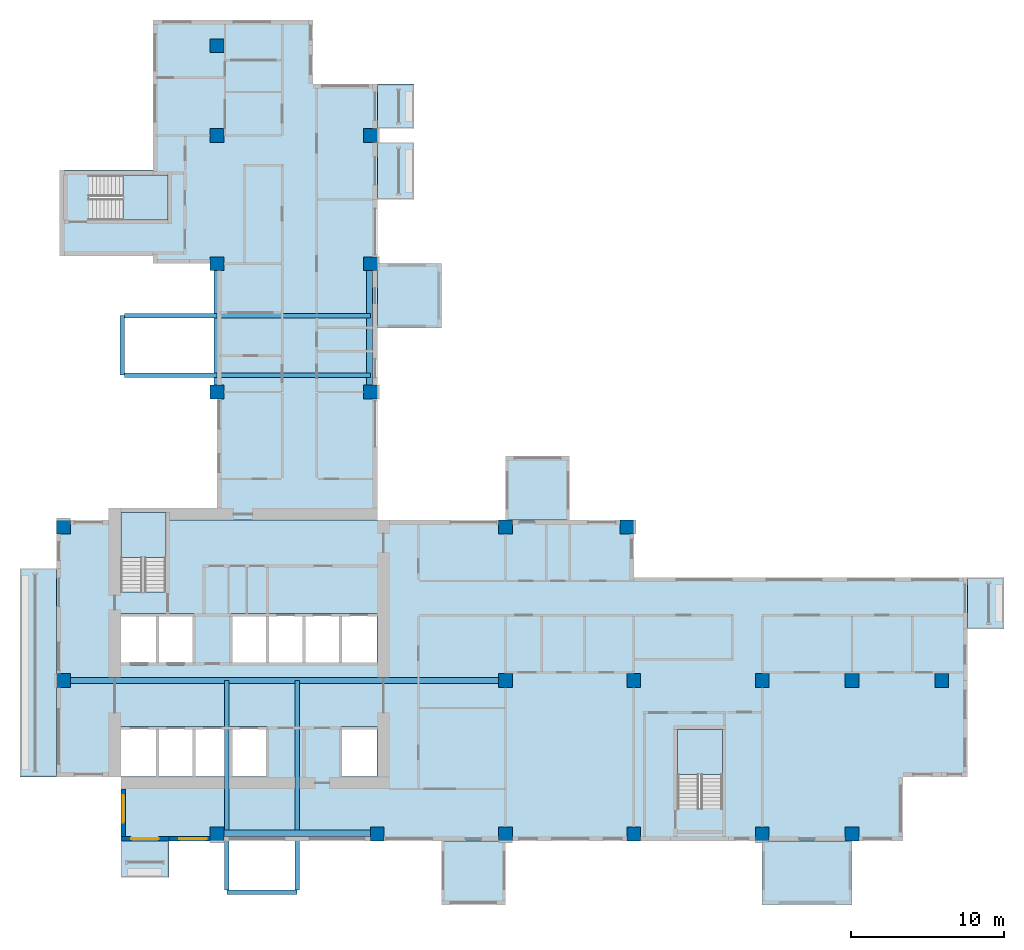
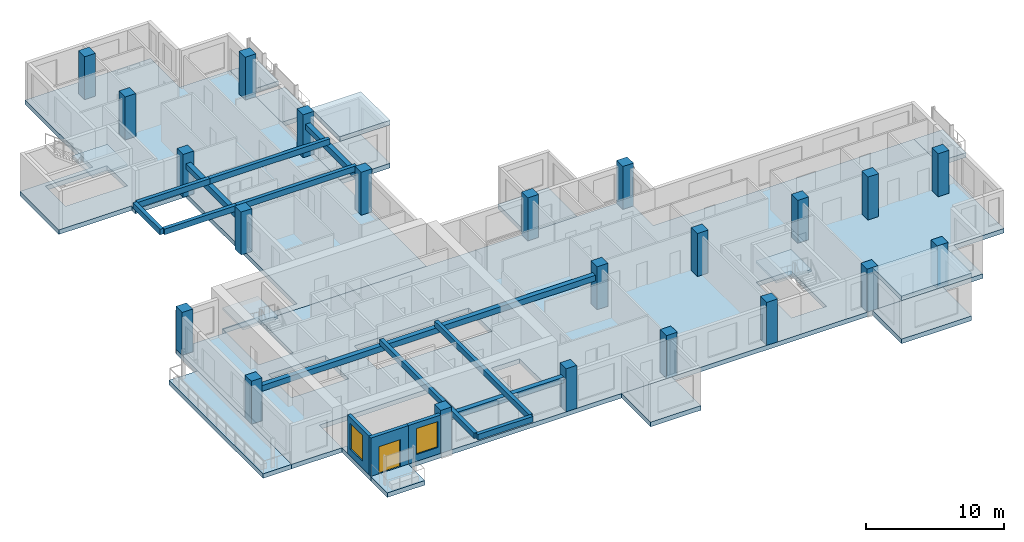
# One storey, part 1 of 13: 22 columns, 16 slabs, 12 beams, 3 walls, 2 windows, 1 door, 3 openings, 3 elements without a shape of their own.
"""IFC4 building model written with IfcOpenShell, lengths in metres."""

from ifc_helpers import new_model, si_unit, direction, frame, frame_2d, origin, origin_2d, place, context, subcontext, project, spatial, polyline, rectangle, outline, extrude, source, transform, mapped, material, layer, layer_set, material_profile, profile_set, type_object, element, fill, aggregate, save


model = new_model("IFC4")

# Units and contexts
model_context = context("Model", 3, precision=1e-05, world=origin(), true_north=direction((0.0, 1.0)))
body_context = subcontext(model_context, "Body", "Model", "MODEL_VIEW")
ifc_project = project(units=[si_unit("LENGTHUNIT", "METRE"), si_unit("AREAUNIT", "SQUARE_METRE"), si_unit("VOLUMEUNIT", "CUBIC_METRE"), si_unit("PLANEANGLEUNIT", "RADIAN"), si_unit("MASSUNIT", "GRAM", prefix="KILO")], contexts=[model_context])

# Site, building, storey
site_placement = place(None, origin())
site = spatial("IfcSite", under=ifc_project, at=site_placement, CompositionType="ELEMENT")
building_placement = place(site_placement, origin())
building = spatial("IfcBuilding", under=site, at=building_placement, Name="Aurelian Terraces", CompositionType="ELEMENT")
storey_placement = place(building_placement, frame((0.0, 0.0, 193.0)))
storey = spatial("IfcBuildingStorey", under=building, at=storey_placement, Name="L42", CompositionType="ELEMENT", Elevation=193.0)

# Columns
ifc_material_1 = material(Name="Concrete fc' 70 MPa", Category="concrete")
ifc_material_profile_1 = material_profile(ifc_material_1, rectangle(XDim=0.9, YDim=0.9, at=origin_2d()))
ifc_profile_set_1 = profile_set([ifc_material_profile_1], Name="Concrete fc' 70 MPa")
column_type = type_object("IfcColumnType", Name="RC COLUMN 900X900 FC70", PredefinedType="COLUMN", material=ifc_profile_set_1)
shared_shape_1 = source(origin(), body_context, "Body", "SweptSolid", [
    extrude(rectangle(XDim=0.9, YDim=0.9, at=origin_2d()), origin(), (0.0, 0.0, 1.0), 3.8),
])
for number, where, z_axis, x_axis, name in (
    (1, (10.5, 0.45, 0.0), (0.0, 0.0, 1.0), (1.0, 0.0, 0.0), "Column 2/A L42"),
    (2, (21.0, 0.45, 0.0), (0.0, 0.0, 1.0), (1.0, 0.0, 0.0), "Column 3/A L42"),
    (3, (29.4, 0.45, 0.0), (0.0, 0.0, 1.0), (1.0, 0.0, 0.0), "Column 4/A L42"),
    (4, (37.8, 0.45, 0.0), (0.0, 0.0, 1.0), (1.0, 0.0, 0.0), "Column 5/A L42"),
    (5, (46.2, 0.45, 0.0), (0.0, 0.0, 1.0), (1.0, 0.0, 0.0), "Column 6/A L42"),
    (6, (52.08, 0.45, 0.0), (0.0, 0.0, 1.0), (1.0, 0.0, 0.0), "Column 7/A L42"),
    (7, (0.45, 10.5, 0.0), (0.0, 0.0, 1.0), (1.0, 0.0, 0.0), "Column 1/B L42"),
    (8, (29.4, 10.5, 0.0), (0.0, 0.0, 1.0), (1.0, 0.0, 0.0), "Column 4/B L42"),
    (9, (37.8, 10.5, 0.0), (0.0, 0.0, 1.0), (1.0, 0.0, 0.0), "Column 5/B L42"),
    (10, (46.2, 10.5, 0.0), (0.0, 0.0, 1.0), (1.0, 0.0, 0.0), "Column 6/B L42"),
    (11, (52.08, 10.5, 0.0), (0.0, 0.0, 1.0), (1.0, 0.0, 0.0), "Column 7/B L42"),
    (12, (57.96, 10.5, 0.0), (0.0, 0.0, 1.0), (1.0, 0.0, 0.0), "Column 8/B L42"),
    (13, (0.45, 20.55, 0.0), (0.0, 0.0, 1.0), (1.0, 0.0, 0.0), "Column 1/C L42"),
    (14, (29.4, 20.55, 0.0), (0.0, 0.0, 1.0), (1.0, 0.0, 0.0), "Column 4/C L42"),
    (15, (37.35, 20.55, 0.0), (0.0, 0.0, 1.0), (1.0, 0.0, 0.0), "Column 5/C L42"),
    (16, (10.5, 29.4, 0.0), (0.0, 0.0, 1.0), (1.0, 0.0, 0.0), "Column 2/D L42"),
    (17, (20.55, 29.4, 0.0), (0.0, 0.0, 1.0), (1.0, 0.0, 0.0), "Column 3/D L42"),
    (18, (10.5, 37.8, 0.0), (0.0, 0.0, 1.0), (1.0, 0.0, 0.0), "Column 2/E L42"),
    (19, (20.55, 37.8, 0.0), (0.0, 0.0, 1.0), (1.0, 0.0, 0.0), "Column 3/E L42"),
    (20, (10.5, 46.2, 0.0), (0.0, 0.0, 1.0), (1.0, 0.0, 0.0), "Column 2/F L42"),
    (21, (20.55, 46.2, 0.0), (0.0, 0.0, 1.0), (1.0, 0.0, 0.0), "Column 3/F L42"),
    (22, (10.5, 52.08, 0.0), (0.0, 0.0, 1.0), (1.0, 0.0, 0.0), "Column 2/G L42"),
):
    element("IfcColumn", number, at=place(storey_placement, frame(where, z_axis=z_axis, x_axis=x_axis)), inside=storey, type_object=column_type, Name=name, PredefinedType="COLUMN", context=body_context, shape_type="MappedRepresentation", body=[
        mapped(shared_shape_1, transform((0.0, 0.0, 0.0), scale=1.0)),
    ])

# Beams
ifc_material_2 = material(Name="Concrete fc' 40 MPa", Category="concrete")
ifc_material_profile_2 = material_profile(ifc_material_2, rectangle(XDim=0.3, YDim=0.5, at=origin_2d()))
ifc_profile_set_2 = profile_set([ifc_material_profile_2], Name="Concrete fc' 40 MPa")
beam_type_1 = type_object("IfcBeamType", Name="CONCRETE CANTILEVER BEAM 300X500", PredefinedType="BEAM", material=ifc_profile_set_2)
beam_1_placement = place(storey_placement, frame((10.5, 30.5, 3.15), z_axis=(1.0, 0.0, 0.0), x_axis=(0.0, 1.0, 0.0)))
element("IfcBeam", 23, at=beam_1_placement, inside=storey, type_object=beam_type_1, Name="Box back-span beam J61.1", PredefinedType="BEAM", context=body_context, shape_type="SweptSolid", body=[
    extrude(rectangle(XDim=0.3, YDim=0.5, at=origin_2d()), origin(), (0.0, 0.0, 1.0), 10.05),
])
ifc_material_profile_3 = material_profile(ifc_material_2, rectangle(XDim=0.3, YDim=0.5, at=origin_2d()))
ifc_profile_set_3 = profile_set([ifc_material_profile_3], Name="Concrete fc' 40 MPa")
beam_type_2 = type_object("IfcBeamType", Name="CONCRETE BOX CANTILEVER BEAM 300X500", PredefinedType="BEAM", material=ifc_profile_set_3)
shared_shape_2 = source(origin(), body_context, "Body", "SweptSolid", [
    extrude(rectangle(XDim=0.3, YDim=0.5, at=origin_2d()), origin(), (0.0, 0.0, 1.0), 6.05),
])
for number, where, z_axis, x_axis, name in (
    (24, (4.45, 30.5, 3.15), (1.0, 0.0, 0.0), (0.0, 1.0, 0.0), "Box cantilever beam J61.1"),
    (25, (4.45, 34.4, 3.15), (1.0, 0.0, 0.0), (0.0, 1.0, 0.0), "Box cantilever beam J61.2"),
):
    element("IfcBeam", number, at=place(storey_placement, frame(where, z_axis=z_axis, x_axis=x_axis)), inside=storey, type_object=beam_type_2, Name=name, PredefinedType="BEAM", context=body_context, shape_type="MappedRepresentation", body=[
        mapped(shared_shape_2, transform((0.0, 0.0, 0.0), scale=1.0)),
    ])
shared_shape_3 = source(origin(), body_context, "Body", "SweptSolid", [
    extrude(rectangle(XDim=0.3, YDim=0.5, at=origin_2d()), origin(), (0.0, 0.0, 1.0), 3.9),
])
beam_2_placement = place(storey_placement, frame((4.3, 30.5, 3.15), z_axis=(0.0, 1.0, 0.0), x_axis=(-1.0, 0.0, 0.0)))
element("IfcBeam", 26, at=beam_2_placement, inside=storey, type_object=beam_type_1, Name="Box tip beam J61", PredefinedType="BEAM", context=body_context, shape_type="MappedRepresentation", body=[
    mapped(shared_shape_3, transform((0.0, 0.0, 0.0), scale=1.0)),
])
shared_shape_4 = source(origin(), body_context, "Body", "SweptSolid", [
    extrude(rectangle(XDim=0.3, YDim=0.5, at=origin_2d()), origin(), (0.0, 0.0, 1.0), 13.7),
])
for number, where, z_axis, x_axis, name in (
    (27, (11.15, -3.2, 3.15), (0.0, 1.0, 0.0), (-1.0, 0.0, 0.0), "Box cantilever beam J60.1"),
    (28, (15.75, -3.2, 3.15), (0.0, 1.0, 0.0), (-1.0, 0.0, 0.0), "Box cantilever beam J60.2"),
):
    element("IfcBeam", number, at=place(storey_placement, frame(where, z_axis=z_axis, x_axis=x_axis)), inside=storey, type_object=beam_type_1, Name=name, PredefinedType="BEAM", context=body_context, shape_type="MappedRepresentation", body=[
        mapped(shared_shape_4, transform((0.0, 0.0, 0.0), scale=1.0)),
    ])
ifc_material_profile_4 = material_profile(ifc_material_2, rectangle(XDim=0.4, YDim=0.5, at=origin_2d()))
ifc_profile_set_4 = profile_set([ifc_material_profile_4], Name="Concrete fc' 40 MPa")
beam_type_3 = type_object("IfcBeamType", Name="CONCRETE EDGE GIRDER 400X500", PredefinedType="BEAM", material=ifc_profile_set_4)
shared_shape_5 = source(origin(), body_context, "Body", "SweptSolid", [
    extrude(rectangle(XDim=0.4, YDim=0.5, at=origin_2d()), origin(), (0.0, 0.0, 1.0), 7.5),
])
for number, where, z_axis, x_axis, name in (
    (29, (10.5, 29.85, 2.65), (0.0, 1.0, 0.0), (-1.0, 0.0, 0.0), "Box girder L42 O124"),
    (30, (20.5, 29.85, 2.65), (0.0, 1.0, 0.0), (-1.0, 0.0, 0.0), "Box girder L42 I125"),
):
    element("IfcBeam", number, at=place(storey_placement, frame(where, z_axis=z_axis, x_axis=x_axis)), inside=storey, type_object=beam_type_3, Name=name, PredefinedType="BEAM", context=body_context, shape_type="MappedRepresentation", body=[
        mapped(shared_shape_5, transform((0.0, 0.0, 0.0), scale=1.0)),
    ])
shared_shape_6 = source(origin(), body_context, "Body", "SweptSolid", [
    extrude(rectangle(XDim=0.4, YDim=0.5, at=origin_2d()), origin(), (0.0, 0.0, 1.0), 28.05),
])
beam_3_placement = place(storey_placement, frame((0.9, 10.5, 2.65), z_axis=(1.0, 0.0, 0.0), x_axis=(0.0, 1.0, 0.0)))
element("IfcBeam", 31, at=beam_3_placement, inside=storey, type_object=beam_type_3, Name="Box girder L42 I123", PredefinedType="BEAM", context=body_context, shape_type="MappedRepresentation", body=[
    mapped(shared_shape_6, transform((0.0, 0.0, 0.0), scale=1.0)),
])
shared_shape_7 = source(origin(), body_context, "Body", "SweptSolid", [
    extrude(rectangle(XDim=0.4, YDim=0.5, at=origin_2d()), origin(), (0.0, 0.0, 1.0), 9.6),
])
beam_4_placement = place(storey_placement, frame((10.95, 0.5, 2.65), z_axis=(1.0, 0.0, 0.0), x_axis=(0.0, 1.0, 0.0)))
element("IfcBeam", 32, at=beam_4_placement, inside=storey, type_object=beam_type_3, Name="Box girder L42 O122", PredefinedType="BEAM", context=body_context, shape_type="MappedRepresentation", body=[
    mapped(shared_shape_7, transform((0.0, 0.0, 0.0), scale=1.0)),
])
shared_shape_8 = source(origin(), body_context, "Body", "SweptSolid", [
    extrude(rectangle(XDim=0.3, YDim=0.5, at=origin_2d()), origin(), (0.0, 0.0, 1.0), 4.6),
])
beam_5_placement = place(storey_placement, frame((11.15, -3.35, 3.15), z_axis=(1.0, 0.0, 0.0), x_axis=(0.0, 1.0, 0.0)))
element("IfcBeam", 33, at=beam_5_placement, inside=storey, type_object=beam_type_1, Name="Box tip beam J60", PredefinedType="BEAM", context=body_context, shape_type="MappedRepresentation", body=[
    mapped(shared_shape_8, transform((0.0, 0.0, 0.0), scale=1.0)),
])
shared_shape_9 = source(origin(), body_context, "Body", "SweptSolid", [
    extrude(rectangle(XDim=0.3, YDim=0.5, at=origin_2d()), origin(), (0.0, 0.0, 1.0), 10.05),
])
beam_6_placement = place(storey_placement, frame((10.5, 34.4, 3.15), z_axis=(1.0, 0.0, 0.0), x_axis=(0.0, 1.0, 0.0)))
element("IfcBeam", 34, at=beam_6_placement, inside=storey, type_object=beam_type_1, Name="Box back-span beam J61.2", PredefinedType="BEAM", context=body_context, shape_type="MappedRepresentation", body=[
    mapped(shared_shape_9, transform((0.0, 0.0, 0.0), scale=1.0)),
])

# Slabs
ifc_layer_1 = layer(ifc_material_2, 0.4)
ifc_layer_set_1 = layer_set([ifc_layer_1], Name="Balcony slab 400")
slab_type_1 = type_object("IfcSlabType", Name="Balcony slab 400", PredefinedType="NOTDEFINED", material=ifc_layer_set_1)
slab_1_placement = place(storey_placement, frame((0.0, 0.0, -0.4)))
element("IfcSlab", 35, at=slab_1_placement, inside=storey, type_object=slab_type_1, Name="Balcony slab L42 F04.14", PredefinedType="NOTDEFINED", context=body_context, shape_type="SweptSolid", body=[
    extrude(outline(polyline([(59.64, 13.875), (59.64, 17.25), (62.04, 17.25), (62.04, 13.875), (59.64, 13.875)])), origin(), (0.0, 0.0, 1.0), 0.4),
])
ifc_layer_2 = layer(ifc_material_2, 0.4)
ifc_layer_set_2 = layer_set([ifc_layer_2], Name="PT FLAT PLATE 400")
slab_type_2 = type_object("IfcSlabType", Name="PT FLAT PLATE 400", PredefinedType="FLOOR", material=ifc_layer_set_2)
shared_shape_10 = source(origin(), body_context, "Body", "SweptSolid", [
    extrude(outline(polyline([(6.3, 43.95), (6.3, 49.56), (6.3, 53.76), (10.5, 53.76), (16.8, 53.76), (16.8, 49.56), (21.0, 49.56), (21.0, 21.0), (7.14, 21.0), (7.14, 21.49), (4.21, 21.49), (4.21, 21.0), (4.2, 21.0), (4.2, 21.6), (6.3, 21.6), (10.5, 21.6), (10.5, 37.8), (6.3, 37.8), (6.3, 38.3), (0.2, 38.3), (0.2, 43.95), (6.3, 43.95)]), holes=[polyline([(7.29, 43.59), (2.11, 43.59), (2.11, 40.66), (7.29, 40.66), (7.29, 43.59)])]), origin(), (0.0, 0.0, 1.0), 0.4),
])
slab_2_placement = place(storey_placement, frame((0.0, 0.0, -0.4)))
element("IfcSlab", 36, at=slab_2_placement, inside=storey, type_object=slab_type_2, Name="Floor slab W L42", PredefinedType="FLOOR", context=body_context, shape_type="MappedRepresentation", body=[
    mapped(shared_shape_10, transform((0.0, 0.0, 0.0), scale=1.0)),
])
shared_shape_11 = source(origin(), body_context, "Body", "SweptSolid", [
    extrude(outline(polyline([(59.64, 4.2), (55.44, 4.2), (55.44, 0.0), (21.0, 0.0), (4.2, 0.0), (4.2, 4.2), (0.0, 4.2), (0.0, 21.0), (4.21, 21.0), (4.21, 16.31), (7.14, 16.31), (7.14, 21.0), (21.0, 21.0), (37.8, 21.0), (37.8, 17.25), (55.44, 17.25), (59.64, 17.25), (59.64, 16.8), (59.64, 16.65), (59.64, 4.2)]), holes=[polyline([(40.66, 2.11), (43.59, 2.11), (43.59, 7.29), (40.66, 7.29), (40.66, 2.11)]), polyline([(18.61, 7.49), (18.61, 4.21), (20.99, 4.21), (20.99, 7.49), (18.61, 7.49)]), polyline([(20.99, 14.89), (11.41, 14.89), (11.41, 11.51), (20.99, 11.51), (20.99, 14.89)]), polyline([(4.21, 7.49), (4.21, 4.21), (13.79, 4.21), (13.79, 7.49), (4.21, 7.49)]), polyline([(4.21, 14.89), (4.21, 11.51), (8.99, 11.51), (8.99, 14.89), (4.21, 14.89)])]), origin(), (0.0, 0.0, 1.0), 0.4),
])
slab_3_placement = place(storey_placement, frame((0.0, 0.0, -0.4)))
element("IfcSlab", 37, at=slab_3_placement, inside=storey, type_object=slab_type_2, Name="Floor slab S L42", PredefinedType="FLOOR", context=body_context, shape_type="MappedRepresentation", body=[
    mapped(shared_shape_11, transform((0.0, 0.0, 0.0), scale=1.0)),
])
ifc_layer_3 = layer(ifc_material_2, 0.41)
ifc_layer_set_3 = layer_set([ifc_layer_3], Name="Box floor 410")
slab_type_3 = type_object("IfcSlabType", Name="Box floor 410", PredefinedType="NOTDEFINED", material=ifc_layer_set_3)
shared_shape_12 = source(origin(), body_context, "Body", "SweptSolid", [
    extrude(outline(polyline([(46.2, -4.2), (52.08, -4.2), (52.08, 0.0), (46.2, 0.0), (46.2, -4.2)])), origin(), (0.0, 0.0, 1.0), 0.41),
])
slab_4_placement = place(storey_placement, frame((0.0, 0.0, -0.41)))
element("IfcSlab", 38, at=slab_4_placement, inside=storey, type_object=slab_type_3, Name="Box floor L42 J56", PredefinedType="NOTDEFINED", context=body_context, shape_type="MappedRepresentation", body=[
    mapped(shared_shape_12, transform((0.0, 0.0, 0.0), scale=1.0)),
])
ifc_layer_4 = layer(ifc_material_2, 0.4)
ifc_layer_set_4 = layer_set([ifc_layer_4], Name="Box roof 400")
slab_type_4 = type_object("IfcSlabType", Name="Box roof 400", PredefinedType="ROOF", material=ifc_layer_set_4)
shared_shape_13 = source(origin(), body_context, "Body", "SweptSolid", [
    extrude(outline(polyline([(46.2, -4.2), (52.08, -4.2), (52.08, 0.0), (46.2, 0.0), (46.2, -4.2)])), origin(), (0.0, 0.0, 1.0), 0.4),
])
slab_5_placement = place(storey_placement, frame((0.0, 0.0, 3.4)))
element("IfcSlab", 39, at=slab_5_placement, inside=storey, type_object=slab_type_4, Name="Box roof J56", PredefinedType="ROOF", context=body_context, shape_type="MappedRepresentation", body=[
    mapped(shared_shape_13, transform((0.0, 0.0, 0.0), scale=1.0)),
])
shared_shape_14 = source(origin(), body_context, "Body", "SweptSolid", [
    extrude(outline(polyline([(25.2, -4.2), (29.4, -4.2), (29.4, 0.0), (25.2, 0.0), (25.2, -4.2)])), origin(), (0.0, 0.0, 1.0), 0.41),
])
slab_6_placement = place(storey_placement, frame((0.0, 0.0, -0.41)))
element("IfcSlab", 40, at=slab_6_placement, inside=storey, type_object=slab_type_3, Name="Box floor L42 J58", PredefinedType="NOTDEFINED", context=body_context, shape_type="MappedRepresentation", body=[
    mapped(shared_shape_14, transform((0.0, 0.0, 0.0), scale=1.0)),
])
shared_shape_15 = source(origin(), body_context, "Body", "SweptSolid", [
    extrude(outline(polyline([(25.2, 33.6), (25.2, 37.8), (21.0, 37.8), (21.0, 33.6), (25.2, 33.6)])), origin(), (0.0, 0.0, 1.0), 0.41),
])
slab_7_placement = place(storey_placement, frame((0.0, 0.0, -0.41)))
element("IfcSlab", 41, at=slab_7_placement, inside=storey, type_object=slab_type_3, Name="Box floor L42 J57", PredefinedType="NOTDEFINED", context=body_context, shape_type="MappedRepresentation", body=[
    mapped(shared_shape_15, transform((0.0, 0.0, 0.0), scale=1.0)),
])
shared_shape_16 = source(origin(), body_context, "Body", "SweptSolid", [
    extrude(outline(polyline([(25.2, 33.6), (25.2, 37.8), (21.0, 37.8), (21.0, 33.6), (25.2, 33.6)])), origin(), (0.0, 0.0, 1.0), 0.4),
])
slab_8_placement = place(storey_placement, frame((0.0, 0.0, 3.4)))
element("IfcSlab", 42, at=slab_8_placement, inside=storey, type_object=slab_type_4, Name="Box roof J57", PredefinedType="ROOF", context=body_context, shape_type="MappedRepresentation", body=[
    mapped(shared_shape_16, transform((0.0, 0.0, 0.0), scale=1.0)),
])
shared_shape_17 = source(origin(), body_context, "Body", "SweptSolid", [
    extrude(outline(polyline([(0.0, 17.85), (0.0, 4.2), (-2.4, 4.2), (-2.4, 17.85), (0.0, 17.85)])), origin(), (0.0, 0.0, 1.0), 0.4),
])
slab_9_placement = place(storey_placement, frame((0.0, 0.0, -0.4)))
element("IfcSlab", 43, at=slab_9_placement, inside=storey, type_object=slab_type_1, Name="Balcony slab L42 F22.39", PredefinedType="NOTDEFINED", context=body_context, shape_type="MappedRepresentation", body=[
    mapped(shared_shape_17, transform((0.0, 0.0, 0.0), scale=1.0)),
])
shared_shape_18 = source(origin(), body_context, "Body", "SweptSolid", [
    extrude(outline(polyline([(33.6, 25.2), (29.4, 25.2), (29.4, 21.0), (33.6, 21.0), (33.6, 25.2)])), origin(), (0.0, 0.0, 1.0), 0.41),
])
slab_10_placement = place(storey_placement, frame((0.0, 0.0, -0.41)))
element("IfcSlab", 44, at=slab_10_placement, inside=storey, type_object=slab_type_3, Name="Box floor L42 J59", PredefinedType="NOTDEFINED", context=body_context, shape_type="MappedRepresentation", body=[
    mapped(shared_shape_18, transform((0.0, 0.0, 0.0), scale=1.0)),
])
shared_shape_19 = source(origin(), body_context, "Body", "SweptSolid", [
    extrude(outline(polyline([(4.2, 0.0), (7.35, 0.0), (7.35, -2.4), (4.2, -2.4), (4.2, 0.0)])), origin(), (0.0, 0.0, 1.0), 0.4),
])
slab_11_placement = place(storey_placement, frame((0.0, 0.0, -0.4)))
element("IfcSlab", 45, at=slab_11_placement, inside=storey, type_object=slab_type_1, Name="Balcony slab L42 F01.1", PredefinedType="NOTDEFINED", context=body_context, shape_type="MappedRepresentation", body=[
    mapped(shared_shape_19, transform((0.0, 0.0, 0.0), scale=1.0)),
])
shared_shape_20 = source(origin(), body_context, "Body", "SweptSolid", [
    extrude(outline(polyline([(21.0, 42.0), (21.0, 45.75), (23.4, 45.75), (23.4, 42.0), (21.0, 42.0)])), origin(), (0.0, 0.0, 1.0), 0.4),
])
slab_12_placement = place(storey_placement, frame((0.0, 0.0, -0.4)))
element("IfcSlab", 46, at=slab_12_placement, inside=storey, type_object=slab_type_1, Name="Balcony slab L42 F08.22", PredefinedType="NOTDEFINED", context=body_context, shape_type="MappedRepresentation", body=[
    mapped(shared_shape_20, transform((0.0, 0.0, 0.0), scale=1.0)),
])
shared_shape_21 = source(origin(), body_context, "Body", "SweptSolid", [
    extrude(outline(polyline([(21.0, 46.65), (21.0, 49.56), (23.4, 49.56), (23.4, 46.65), (21.0, 46.65)])), origin(), (0.0, 0.0, 1.0), 0.4),
])
slab_13_placement = place(storey_placement, frame((0.0, 0.0, -0.4)))
element("IfcSlab", 47, at=slab_13_placement, inside=storey, type_object=slab_type_1, Name="Balcony slab L42 F08.23", PredefinedType="NOTDEFINED", context=body_context, shape_type="MappedRepresentation", body=[
    mapped(shared_shape_21, transform((0.0, 0.0, 0.0), scale=1.0)),
])

# Stair, slab
stair_type = type_object("IfcStairType", Name="Stair 1400", PredefinedType="HALF_TURN_STAIR", material=ifc_material_2)
stair_1_placement = place(storey_placement, origin())
stair_1 = element("IfcStair", 48, at=stair_1_placement, inside=storey, type_object=stair_type, Name="L42 S1", PredefinedType="HALF_TURN_STAIR")
ifc_layer_5 = layer(ifc_material_2, 0.2)
ifc_layer_set_5 = layer_set([ifc_layer_5], Name="Stair landing 200")
slab_type_5 = type_object("IfcSlabType", Name="Stair landing 200", PredefinedType="LANDING", material=ifc_layer_set_5)
shared_shape_22 = source(origin(), body_context, "Body", "SweptSolid", [
    extrude(outline(polyline([(7.15, 18.55), (7.15, 21.5), (4.2, 21.5), (4.2, 18.55), (7.15, 18.55)])), origin(), (0.0, 0.0, 1.0), 0.2),
])
slab_14_placement = place(storey_placement, frame((0.0, 0.0, 1.7)))
slab_14 = element("IfcSlab", 49, at=slab_14_placement, type_object=slab_type_5, Name="S1 landing 1", PredefinedType="LANDING", context=body_context, shape_type="MappedRepresentation", body=[
    mapped(shared_shape_22, transform((0.0, 0.0, 0.0), scale=1.0)),
])
aggregate(stair_1, [slab_14])

stair_2_placement = place(storey_placement, origin())
stair_2 = element("IfcStair", 50, at=stair_2_placement, inside=storey, type_object=stair_type, Name="L42 S2", PredefinedType="HALF_TURN_STAIR")
shared_shape_23 = source(origin(), body_context, "Body", "SweptSolid", [
    extrude(outline(polyline([(43.6, 4.35), (43.6, 7.3), (40.65, 7.3), (40.65, 4.35), (43.6, 4.35)])), origin(), (0.0, 0.0, 1.0), 0.2),
])
slab_15_placement = place(storey_placement, frame((0.0, 0.0, 1.7)))
slab_15 = element("IfcSlab", 51, at=slab_15_placement, type_object=slab_type_5, Name="S2 landing 1", PredefinedType="LANDING", context=body_context, shape_type="MappedRepresentation", body=[
    mapped(shared_shape_23, transform((0.0, 0.0, 0.0), scale=1.0)),
])
aggregate(stair_2, [slab_15])

stair_3_placement = place(storey_placement, origin())
stair_3 = element("IfcStair", 52, at=stair_3_placement, inside=storey, type_object=stair_type, Name="L42 S3", PredefinedType="HALF_TURN_STAIR")
shared_shape_24 = source(origin(), body_context, "Body", "SweptSolid", [
    extrude(outline(polyline([(4.35, 40.65), (7.3, 40.65), (7.3, 43.6), (4.35, 43.6), (4.35, 40.65)])), origin(), (0.0, 0.0, 1.0), 0.2),
])
slab_16_placement = place(storey_placement, frame((0.0, 0.0, 1.7)))
slab_16 = element("IfcSlab", 53, at=slab_16_placement, type_object=slab_type_5, Name="S3 landing 1", PredefinedType="LANDING", context=body_context, shape_type="MappedRepresentation", body=[
    mapped(shared_shape_24, transform((0.0, 0.0, 0.0), scale=1.0)),
])
aggregate(stair_3, [slab_16])

# Wall, opening, window
ifc_material_3 = material(Name="Terracotta rainscreen cladding", Category="masonry")
ifc_layer_6 = layer(ifc_material_3, 0.3)
ifc_layer_set_6 = layer_set([ifc_layer_6], Name="EW-300")
wall_type = type_object("IfcWallType", Name="EW-300", PredefinedType="STANDARD", material=ifc_layer_set_6)
shared_shape_25 = source(origin(), body_context, "Body", "SweptSolid", [
    extrude(rectangle(XDim=3.4, YDim=0.3, at=frame_2d((1.7, 0.0))), origin(), (0.0, 0.0, 1.0), 3.4),
])
wall_1_placement = place(storey_placement, frame((4.35, 3.4, 0.0), z_axis=(0.0, 0.0, 1.0), x_axis=(0.0, -1.0, 0.0)))
wall_1 = element("IfcWall", 54, at=wall_1_placement, inside=storey, type_object=wall_type, Name="External wall L42 F24.41", PredefinedType="STANDARD", context=body_context, shape_type="MappedRepresentation", body=[
    mapped(shared_shape_25, transform((0.0, 0.0, 0.0), scale=1.0)),
])
shared_shape_26 = source(origin(), body_context, "Body", "SweptSolid", [
    extrude(rectangle(XDim=1.8, YDim=2.3, at=frame_2d((0.9, 1.15))), frame((0.0, 0.16, 0.0), z_axis=(0.0, -1.0, 0.0), x_axis=(1.0, 0.0, 0.0)), (0.0, 0.0, 1.0), 0.32),
])
opening_1_placement = place(wall_1_placement, frame((0.4, 0.0, 0.6)))
opening_1 = element("IfcOpeningElement", 55, at=opening_1_placement, cuts=wall_1, Name="Opening W1823", PredefinedType="OPENING", context=body_context, shape_type="MappedRepresentation", body=[
    mapped(shared_shape_26, transform((0.0, 0.0, 0.0), scale=1.0)),
])
ifc_material_4 = material(Name="Clear glazing", Category="glass")
window_type = type_object("IfcWindowType", Name="W-1800x2300", PartitioningType="SINGLE_PANEL", PredefinedType="WINDOW", material=ifc_material_4)
shared_shape_27 = source(origin(), body_context, "Body", "SweptSolid", [
    extrude(rectangle(XDim=1.8, YDim=2.3, at=frame_2d((0.9, 1.15))), frame((0.0, 0.03, 0.0), z_axis=(0.0, -1.0, 0.0), x_axis=(1.0, 0.0, 0.0)), (0.0, 0.0, 1.0), 0.06),
])
window_1_placement = place(opening_1_placement, origin())
window_1 = element("IfcWindow", 56, at=window_1_placement, inside=storey, type_object=window_type, Name="Window L42 L42-F24-41-0", OverallHeight=2.3, OverallWidth=1.8, PartitioningType="SINGLE_PANEL", PredefinedType="WINDOW", context=body_context, shape_type="MappedRepresentation", body=[
    mapped(shared_shape_27, transform((0.0, 0.0, 0.0), scale=1.0)),
])
fill(opening_1, window_1)

# Wall, opening, door
shared_shape_28 = source(origin(), body_context, "Body", "SweptSolid", [
    extrude(rectangle(XDim=3.15, YDim=0.3, at=frame_2d((1.575, 0.0))), origin(), (0.0, 0.0, 1.0), 3.4),
])
wall_2_placement = place(storey_placement, frame((4.2, 0.15, 0.0), z_axis=(0.0, 0.0, 1.0), x_axis=(1.0, 0.0, 0.0)))
wall_2 = element("IfcWall", 57, at=wall_2_placement, inside=storey, type_object=wall_type, Name="External wall L42 F01.1", PredefinedType="STANDARD", context=body_context, shape_type="MappedRepresentation", body=[
    mapped(shared_shape_28, transform((0.0, 0.0, 0.0), scale=1.0)),
])
shared_shape_29 = source(origin(), body_context, "Body", "SweptSolid", [
    extrude(rectangle(XDim=1.8, YDim=2.4, at=frame_2d((0.9, 1.2))), frame((0.0, 0.16, 0.0), z_axis=(0.0, -1.0, 0.0), x_axis=(1.0, 0.0, 0.0)), (0.0, 0.0, 1.0), 0.32),
])
opening_2_placement = place(wall_2_placement, frame((0.675, 0.0, 0.0)))
opening_2 = element("IfcOpeningElement", 58, at=opening_2_placement, cuts=wall_2, Name="Opening 84201", PredefinedType="OPENING", context=body_context, shape_type="MappedRepresentation", body=[
    mapped(shared_shape_29, transform((0.0, 0.0, 0.0), scale=1.0)),
])
door_type = type_object("IfcDoorType", Name="BD-1800x2400", OperationType="SLIDING_TO_LEFT", PredefinedType="DOOR", material=ifc_material_4)
shared_shape_30 = source(origin(), body_context, "Body", "SweptSolid", [
    extrude(rectangle(XDim=1.8, YDim=2.4, at=frame_2d((0.9, 1.2))), frame((0.0, 0.025, 0.0), z_axis=(0.0, -1.0, 0.0), x_axis=(1.0, 0.0, 0.0)), (0.0, 0.0, 1.0), 0.05),
])
door_placement = place(opening_2_placement, origin())
door = element("IfcDoor", 59, at=door_placement, inside=storey, type_object=door_type, Name="Balcony door L42 F01.1", OperationType="SLIDING_TO_LEFT", OverallHeight=2.4, OverallWidth=1.8, PredefinedType="DOOR", context=body_context, shape_type="MappedRepresentation", body=[
    mapped(shared_shape_30, transform((0.0, 0.0, 0.0), scale=1.0)),
])
fill(opening_2, door)

# Wall, opening, window
shared_shape_31 = source(origin(), body_context, "Body", "SweptSolid", [
    extrude(rectangle(XDim=2.7, YDim=0.3, at=frame_2d((1.35, 0.0))), origin(), (0.0, 0.0, 1.0), 3.4),
])
wall_3_placement = place(storey_placement, frame((7.35, 0.15, 0.0), z_axis=(0.0, 0.0, 1.0), x_axis=(1.0, 0.0, 0.0)))
wall_3 = element("IfcWall", 60, at=wall_3_placement, inside=storey, type_object=wall_type, Name="External wall L42 F01.2", PredefinedType="STANDARD", context=body_context, shape_type="MappedRepresentation", body=[
    mapped(shared_shape_31, transform((0.0, 0.0, 0.0), scale=1.0)),
])
opening_3_placement = place(wall_3_placement, frame((0.675, 0.0, 0.6)))
opening_3 = element("IfcOpeningElement", 61, at=opening_3_placement, cuts=wall_3, Name="Opening W1823", PredefinedType="OPENING", context=body_context, shape_type="MappedRepresentation", body=[
    mapped(shared_shape_26, transform((0.0, 0.0, 0.0), scale=1.0)),
])
window_2_placement = place(opening_3_placement, origin())
window_2 = element("IfcWindow", 62, at=window_2_placement, inside=storey, type_object=window_type, Name="Window L42 L42-F01-02-0", OverallHeight=2.3, OverallWidth=1.8, PartitioningType="SINGLE_PANEL", PredefinedType="WINDOW", context=body_context, shape_type="MappedRepresentation", body=[
    mapped(shared_shape_27, transform((0.0, 0.0, 0.0), scale=1.0)),
])
fill(opening_3, window_2)

save(model, "model.ifc")
